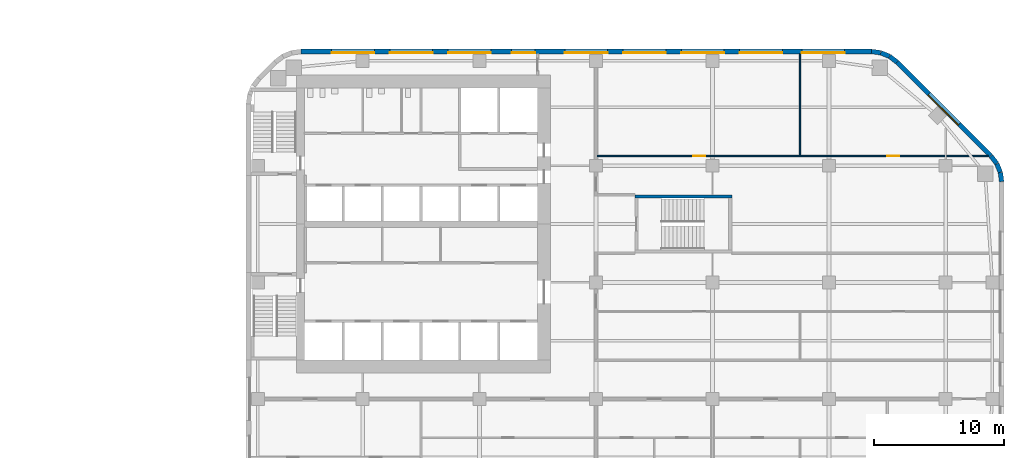
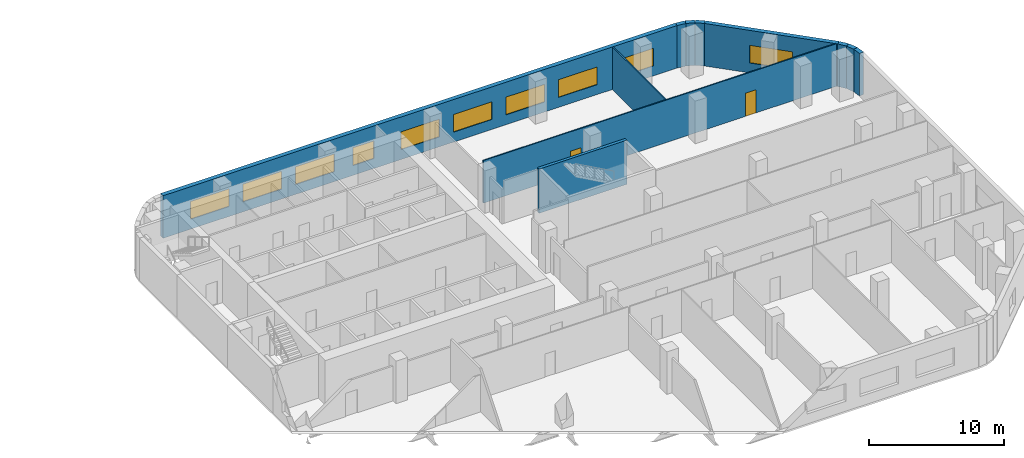
# One storey, part 12 of 16: 11 walls, 10 windows, 2 doors, 12 openings.
"""IFC4 building model written with IfcOpenShell, lengths in metres."""

from ifc_helpers import new_model, si_unit, direction, frame, frame_2d, origin, place, context, subcontext, project, spatial, rectangle, extrude, material, layer, layer_set, type_object, element, fill, save


model = new_model("IFC4")

# Units and contexts
model_context = context("Model", 3, precision=1e-05, world=origin(), true_north=direction((0.0, 1.0)))
body_context = subcontext(model_context, "Body", "Model", "MODEL_VIEW")
ifc_project = project(units=[si_unit("LENGTHUNIT", "METRE"), si_unit("AREAUNIT", "SQUARE_METRE"), si_unit("VOLUMEUNIT", "CUBIC_METRE"), si_unit("PLANEANGLEUNIT", "RADIAN"), si_unit("MASSUNIT", "GRAM", prefix="KILO")], contexts=[model_context])

# Site, building, storey
site_placement = place(None, origin())
site = spatial("IfcSite", under=ifc_project, at=site_placement, CompositionType="ELEMENT")
building_placement = place(site_placement, origin())
building = spatial("IfcBuilding", under=site, at=building_placement, Name="Cinnabar Reach Civic Tower", CompositionType="ELEMENT")
storey_placement = place(building_placement, frame((0.0, 0.0, 55.0)))
storey = spatial("IfcBuildingStorey", under=building, at=storey_placement, Name="L12", CompositionType="ELEMENT", Elevation=55.0)

# Walls
ifc_material_1 = material(Name="Facing brick with insulated backing", Category="masonry")
ifc_layer_1 = layer(ifc_material_1, 0.36)
ifc_layer_set_1 = layer_set([ifc_layer_1], Name="Brick corner wall")
wall_type_1 = type_object("IfcWallType", Name="Brick corner wall", PredefinedType="STANDARD", material=ifc_layer_set_1)
for number, where, z_axis, x_axis, name in (
    (1, (58.317, 34.7686, 0.0), (0.0, 0.0, 1.0), (-0.13055608231, 0.99144092581, 0.0), "Brick corner wall"),
    (2, (58.2181, 35.4973, 0.0), (0.0, 0.0, 1.0), (-0.382702709855, 0.923871547278, 0.0), "Brick corner wall"),
):
    element("IfcWall", number, at=place(storey_placement, frame(where, z_axis=z_axis, x_axis=x_axis)), inside=storey, type_object=wall_type_1, Name=name, PredefinedType="STANDARD", context=body_context, shape_type="SweptSolid", body=[
        extrude(rectangle(XDim=0.7131, YDim=0.36, at=frame_2d((0.3565, 0.0))), origin(), (0.0, 0.0, 1.0), 3.85),
    ])
for number, where, z_axis, x_axis, name in (
    (3, (57.934, 36.1755, 0.0), (0.0, 0.0, 1.0), (-0.608802368033, 0.793321924995, 0.0), "Brick corner wall"),
    (4, (50.2413, 43.9998, 0.0), (0.0, 0.0, 1.0), (-0.793321924995, 0.608802368033, 0.0), "Brick corner wall"),
):
    element("IfcWall", number, at=place(storey_placement, frame(where, z_axis=z_axis, x_axis=x_axis)), inside=storey, type_object=wall_type_1, Name=name, PredefinedType="STANDARD", context=body_context, shape_type="SweptSolid", body=[
        extrude(rectangle(XDim=0.7132, YDim=0.36, at=frame_2d((0.3566, 0.0))), origin(), (0.0, 0.0, 1.0), 3.85),
    ])
for number, where, z_axis, x_axis, name in (
    (5, (49.6561, 44.4452, 0.0), (0.0, 0.0, 1.0), (-0.923871547278, 0.382702709855, 0.0), "Brick corner wall"),
    (6, (48.9756, 44.7239, 0.0), (0.0, 0.0, 1.0), (-0.99144092581, 0.13055608231, 0.0), "Brick corner wall"),
):
    element("IfcWall", number, at=place(storey_placement, frame(where, z_axis=z_axis, x_axis=x_axis)), inside=storey, type_object=wall_type_1, Name=name, PredefinedType="STANDARD", context=body_context, shape_type="SweptSolid", body=[
        extrude(rectangle(XDim=0.7131, YDim=0.36, at=frame_2d((0.3565, 0.0))), origin(), (0.0, 0.0, 1.0), 3.85),
    ])

# Wall, opening, window
ifc_layer_2 = layer(ifc_material_1, 0.36)
ifc_layer_set_2 = layer_set([ifc_layer_2], Name="Brick pier and spandrel wall")
wall_type_2 = type_object("IfcWallType", Name="Brick pier and spandrel wall", PredefinedType="STANDARD", material=ifc_layer_set_2)
wall_1_placement = place(storey_placement, frame((57.494, 36.7514, 0.0), z_axis=(0.0, 0.0, 1.0), x_axis=(-0.707106781187, 0.707106781187, 0.0)))
wall_1 = element("IfcWall", 7, at=wall_1_placement, inside=storey, type_object=wall_type_2, Name="Brick facade wall", PredefinedType="STANDARD", context=body_context, shape_type="SweptSolid", body=[
    extrude(rectangle(XDim=10.2426, YDim=0.36, at=frame_2d((5.1213, 0.0))), origin(), (0.0, 0.0, 1.0), 3.85),
])
opening_1_placement = place(wall_1_placement, frame((3.4713, 0.0, 0.9)))
opening_1 = element("IfcOpeningElement", 8, at=opening_1_placement, cuts=wall_1, Name="Opening W1200", PredefinedType="OPENING", context=body_context, shape_type="SweptSolid", body=[
    extrude(rectangle(XDim=3.3, YDim=1.6, at=frame_2d((1.65, 0.8))), frame((0.0, 0.19, 0.0), z_axis=(0.0, -1.0, 0.0), x_axis=(1.0, 0.0, 0.0)), (0.0, 0.0, 1.0), 0.38),
])
ifc_material_2 = material(Name="Clear double glazing in aluminium frame", Category="aluminium")
window_type_1 = type_object("IfcWindowType", Name="Deep-set window A", PartitioningType="SINGLE_PANEL", PredefinedType="WINDOW", material=ifc_material_2)
window_1_placement = place(opening_1_placement, origin())
window_1 = element("IfcWindow", 9, at=window_1_placement, inside=storey, type_object=window_type_1, Name="Window northeast face", OverallHeight=1.6, OverallWidth=3.3, PartitioningType="SINGLE_PANEL", PredefinedType="WINDOW", context=body_context, shape_type="SweptSolid", body=[
    extrude(rectangle(XDim=3.3, YDim=1.6, at=frame_2d((1.65, 0.8))), frame((0.0, 0.13, 0.0), z_axis=(0.0, -1.0, 0.0), x_axis=(1.0, 0.0, 0.0)), (0.0, 0.0, 1.0), 0.06),
])
fill(opening_1, window_1)

# Wall, openings, windows
wall_2_placement = place(storey_placement, frame((48.2574, 44.82, 0.0), z_axis=(0.0, 0.0, 1.0), x_axis=(-1.0, 0.0, 0.0)))
wall_2 = element("IfcWall", 10, at=wall_2_placement, inside=storey, type_object=wall_type_2, Name="Brick facade wall", PredefinedType="STANDARD", context=body_context, shape_type="SweptSolid", body=[
    extrude(rectangle(XDim=44.0148, YDim=0.36, at=frame_2d((22.0074, 0.0))), origin(), (0.0, 0.0, 1.0), 3.85),
])
opening_2_placement = place(wall_2_placement, frame((2.0574, 0.0, 0.9)))
opening_2 = element("IfcOpeningElement", 11, at=opening_2_placement, cuts=wall_2, Name="Opening W1201", PredefinedType="OPENING", context=body_context, shape_type="SweptSolid", body=[
    extrude(rectangle(XDim=3.3, YDim=1.6, at=frame_2d((1.65, 0.8))), frame((0.0, 0.19, 0.0), z_axis=(0.0, -1.0, 0.0), x_axis=(1.0, 0.0, 0.0)), (0.0, 0.0, 1.0), 0.38),
])
opening_3_placement = place(wall_2_placement, frame((6.8574, 0.0, 0.9)))
opening_3 = element("IfcOpeningElement", 12, at=opening_3_placement, cuts=wall_2, Name="Opening W1202", PredefinedType="OPENING", context=body_context, shape_type="SweptSolid", body=[
    extrude(rectangle(XDim=3.3, YDim=1.6, at=frame_2d((1.65, 0.8))), frame((0.0, 0.19, 0.0), z_axis=(0.0, -1.0, 0.0), x_axis=(1.0, 0.0, 0.0)), (0.0, 0.0, 1.0), 0.38),
])
opening_4_placement = place(wall_2_placement, frame((11.3574, 0.0, 0.9)))
opening_4 = element("IfcOpeningElement", 13, at=opening_4_placement, cuts=wall_2, Name="Opening W1203", PredefinedType="OPENING", context=body_context, shape_type="SweptSolid", body=[
    extrude(rectangle(XDim=3.3, YDim=1.6, at=frame_2d((1.65, 0.8))), frame((0.0, 0.19, 0.0), z_axis=(0.0, -1.0, 0.0), x_axis=(1.0, 0.0, 0.0)), (0.0, 0.0, 1.0), 0.38),
])
opening_5_placement = place(wall_2_placement, frame((15.8574, 0.0, 0.9)))
opening_5 = element("IfcOpeningElement", 14, at=opening_5_placement, cuts=wall_2, Name="Opening W1204", PredefinedType="OPENING", context=body_context, shape_type="SweptSolid", body=[
    extrude(rectangle(XDim=3.3, YDim=1.6, at=frame_2d((1.65, 0.8))), frame((0.0, 0.19, 0.0), z_axis=(0.0, -1.0, 0.0), x_axis=(1.0, 0.0, 0.0)), (0.0, 0.0, 1.0), 0.38),
])
opening_6_placement = place(wall_2_placement, frame((20.3574, 0.0, 0.9)))
opening_6 = element("IfcOpeningElement", 15, at=opening_6_placement, cuts=wall_2, Name="Opening W1205", PredefinedType="OPENING", context=body_context, shape_type="SweptSolid", body=[
    extrude(rectangle(XDim=3.3, YDim=1.6, at=frame_2d((1.65, 0.8))), frame((0.0, 0.19, 0.0), z_axis=(0.0, -1.0, 0.0), x_axis=(1.0, 0.0, 0.0)), (0.0, 0.0, 1.0), 0.38),
])
opening_7_placement = place(wall_2_placement, frame((25.9574, 0.0, 0.9)))
opening_7 = element("IfcOpeningElement", 16, at=opening_7_placement, cuts=wall_2, Name="Opening W1206", PredefinedType="OPENING", context=body_context, shape_type="SweptSolid", body=[
    extrude(rectangle(XDim=1.8, YDim=1.6, at=frame_2d((0.9, 0.8))), frame((0.0, 0.19, 0.0), z_axis=(0.0, -1.0, 0.0), x_axis=(1.0, 0.0, 0.0)), (0.0, 0.0, 1.0), 0.38),
])
opening_8_placement = place(wall_2_placement, frame((29.3574, 0.0, 0.9)))
opening_8 = element("IfcOpeningElement", 17, at=opening_8_placement, cuts=wall_2, Name="Opening W1207", PredefinedType="OPENING", context=body_context, shape_type="SweptSolid", body=[
    extrude(rectangle(XDim=3.3, YDim=1.6, at=frame_2d((1.65, 0.8))), frame((0.0, 0.19, 0.0), z_axis=(0.0, -1.0, 0.0), x_axis=(1.0, 0.0, 0.0)), (0.0, 0.0, 1.0), 0.38),
])
opening_9_placement = place(wall_2_placement, frame((33.8574, 0.0, 0.9)))
opening_9 = element("IfcOpeningElement", 18, at=opening_9_placement, cuts=wall_2, Name="Opening W1208", PredefinedType="OPENING", context=body_context, shape_type="SweptSolid", body=[
    extrude(rectangle(XDim=3.3, YDim=1.6, at=frame_2d((1.65, 0.8))), frame((0.0, 0.19, 0.0), z_axis=(0.0, -1.0, 0.0), x_axis=(1.0, 0.0, 0.0)), (0.0, 0.0, 1.0), 0.38),
])
opening_10_placement = place(wall_2_placement, frame((38.3574, 0.0, 0.9)))
opening_10 = element("IfcOpeningElement", 19, at=opening_10_placement, cuts=wall_2, Name="Opening W1209", PredefinedType="OPENING", context=body_context, shape_type="SweptSolid", body=[
    extrude(rectangle(XDim=3.3, YDim=1.6, at=frame_2d((1.65, 0.8))), frame((0.0, 0.19, 0.0), z_axis=(0.0, -1.0, 0.0), x_axis=(1.0, 0.0, 0.0)), (0.0, 0.0, 1.0), 0.38),
])
window_2_placement = place(opening_2_placement, origin())
window_2 = element("IfcWindow", 20, at=window_2_placement, inside=storey, type_object=window_type_1, Name="Window north face", OverallHeight=1.6, OverallWidth=3.3, PartitioningType="SINGLE_PANEL", PredefinedType="WINDOW", context=body_context, shape_type="SweptSolid", body=[
    extrude(rectangle(XDim=3.3, YDim=1.6, at=frame_2d((1.65, 0.8))), frame((0.0, 0.13, 0.0), z_axis=(0.0, -1.0, 0.0), x_axis=(1.0, 0.0, 0.0)), (0.0, 0.0, 1.0), 0.06),
])
fill(opening_2, window_2)
window_3_placement = place(opening_3_placement, origin())
window_3 = element("IfcWindow", 21, at=window_3_placement, inside=storey, type_object=window_type_1, Name="Window north face", OverallHeight=1.6, OverallWidth=3.3, PartitioningType="SINGLE_PANEL", PredefinedType="WINDOW", context=body_context, shape_type="SweptSolid", body=[
    extrude(rectangle(XDim=3.3, YDim=1.6, at=frame_2d((1.65, 0.8))), frame((0.0, 0.13, 0.0), z_axis=(0.0, -1.0, 0.0), x_axis=(1.0, 0.0, 0.0)), (0.0, 0.0, 1.0), 0.06),
])
fill(opening_3, window_3)
window_4_placement = place(opening_4_placement, origin())
window_4 = element("IfcWindow", 22, at=window_4_placement, inside=storey, type_object=window_type_1, Name="Window north face", OverallHeight=1.6, OverallWidth=3.3, PartitioningType="SINGLE_PANEL", PredefinedType="WINDOW", context=body_context, shape_type="SweptSolid", body=[
    extrude(rectangle(XDim=3.3, YDim=1.6, at=frame_2d((1.65, 0.8))), frame((0.0, 0.13, 0.0), z_axis=(0.0, -1.0, 0.0), x_axis=(1.0, 0.0, 0.0)), (0.0, 0.0, 1.0), 0.06),
])
fill(opening_4, window_4)
window_5_placement = place(opening_5_placement, origin())
window_5 = element("IfcWindow", 23, at=window_5_placement, inside=storey, type_object=window_type_1, Name="Window north face", OverallHeight=1.6, OverallWidth=3.3, PartitioningType="SINGLE_PANEL", PredefinedType="WINDOW", context=body_context, shape_type="SweptSolid", body=[
    extrude(rectangle(XDim=3.3, YDim=1.6, at=frame_2d((1.65, 0.8))), frame((0.0, 0.13, 0.0), z_axis=(0.0, -1.0, 0.0), x_axis=(1.0, 0.0, 0.0)), (0.0, 0.0, 1.0), 0.06),
])
fill(opening_5, window_5)
window_6_placement = place(opening_6_placement, origin())
window_6 = element("IfcWindow", 24, at=window_6_placement, inside=storey, type_object=window_type_1, Name="Window north face", OverallHeight=1.6, OverallWidth=3.3, PartitioningType="SINGLE_PANEL", PredefinedType="WINDOW", context=body_context, shape_type="SweptSolid", body=[
    extrude(rectangle(XDim=3.3, YDim=1.6, at=frame_2d((1.65, 0.8))), frame((0.0, 0.13, 0.0), z_axis=(0.0, -1.0, 0.0), x_axis=(1.0, 0.0, 0.0)), (0.0, 0.0, 1.0), 0.06),
])
fill(opening_6, window_6)
window_7_placement = place(opening_8_placement, origin())
window_7 = element("IfcWindow", 25, at=window_7_placement, inside=storey, type_object=window_type_1, Name="Window north face", OverallHeight=1.6, OverallWidth=3.3, PartitioningType="SINGLE_PANEL", PredefinedType="WINDOW", context=body_context, shape_type="SweptSolid", body=[
    extrude(rectangle(XDim=3.3, YDim=1.6, at=frame_2d((1.65, 0.8))), frame((0.0, 0.13, 0.0), z_axis=(0.0, -1.0, 0.0), x_axis=(1.0, 0.0, 0.0)), (0.0, 0.0, 1.0), 0.06),
])
fill(opening_8, window_7)
window_8_placement = place(opening_9_placement, origin())
window_8 = element("IfcWindow", 26, at=window_8_placement, inside=storey, type_object=window_type_1, Name="Window north face", OverallHeight=1.6, OverallWidth=3.3, PartitioningType="SINGLE_PANEL", PredefinedType="WINDOW", context=body_context, shape_type="SweptSolid", body=[
    extrude(rectangle(XDim=3.3, YDim=1.6, at=frame_2d((1.65, 0.8))), frame((0.0, 0.13, 0.0), z_axis=(0.0, -1.0, 0.0), x_axis=(1.0, 0.0, 0.0)), (0.0, 0.0, 1.0), 0.06),
])
fill(opening_9, window_8)
window_9_placement = place(opening_10_placement, origin())
window_9 = element("IfcWindow", 27, at=window_9_placement, inside=storey, type_object=window_type_1, Name="Window north face", OverallHeight=1.6, OverallWidth=3.3, PartitioningType="SINGLE_PANEL", PredefinedType="WINDOW", context=body_context, shape_type="SweptSolid", body=[
    extrude(rectangle(XDim=3.3, YDim=1.6, at=frame_2d((1.65, 0.8))), frame((0.0, 0.13, 0.0), z_axis=(0.0, -1.0, 0.0), x_axis=(1.0, 0.0, 0.0)), (0.0, 0.0, 1.0), 0.06),
])
fill(opening_10, window_9)
window_type_2 = type_object("IfcWindowType", Name="Deep-set window D", PartitioningType="SINGLE_PANEL", PredefinedType="WINDOW", material=ifc_material_2)
window_10_placement = place(opening_7_placement, origin())
window_10 = element("IfcWindow", 28, at=window_10_placement, inside=storey, type_object=window_type_2, Name="Window north face", OverallHeight=1.6, OverallWidth=1.8, PartitioningType="SINGLE_PANEL", PredefinedType="WINDOW", context=body_context, shape_type="SweptSolid", body=[
    extrude(rectangle(XDim=1.8, YDim=1.6, at=frame_2d((0.9, 0.8))), frame((0.0, 0.13, 0.0), z_axis=(0.0, -1.0, 0.0), x_axis=(1.0, 0.0, 0.0)), (0.0, 0.0, 1.0), 0.06),
])
fill(opening_7, window_10)

# Wall, openings, doors
ifc_material_3 = material(Name="Gypsum board on steel studs", Category="steel")
ifc_layer_3 = layer(ifc_material_3, 0.1)
ifc_layer_set_3 = layer_set([ifc_layer_3], Name="Partition wall 100 T1")
wall_type_3 = type_object("IfcWallType", Name="Partition wall 100 T1", PredefinedType="PARTITIONING", material=ifc_layer_set_3)
wall_3_placement = place(storey_placement, frame((27.075, 36.75, 0.0), z_axis=(0.0, 0.0, 1.0), x_axis=(1.0, 0.0, 0.0)))
wall_3 = element("IfcWall", 29, at=wall_3_placement, inside=storey, type_object=wall_type_3, Name="Partition wall 51", PredefinedType="PARTITIONING", context=body_context, shape_type="SweptSolid", body=[
    extrude(rectangle(XDim=30.2159, YDim=0.1, at=frame_2d((15.108, 0.0))), origin(), (0.0, 0.0, 1.0), 3.85),
])
opening_11_placement = place(wall_3_placement, frame((7.45, 0.0, 0.0)))
opening_11 = element("IfcOpeningElement", 30, at=opening_11_placement, cuts=wall_3, Name="Opening D3497", PredefinedType="OPENING", context=body_context, shape_type="SweptSolid", body=[
    extrude(rectangle(XDim=0.9, YDim=2.1, at=frame_2d((0.45, 1.05))), frame((0.0, 0.06, 0.0), z_axis=(0.0, -1.0, 0.0), x_axis=(1.0, 0.0, 0.0)), (0.0, 0.0, 1.0), 0.12),
])
opening_12_placement = place(wall_3_placement, frame((22.425, 0.0, 0.0)))
opening_12 = element("IfcOpeningElement", 31, at=opening_12_placement, cuts=wall_3, Name="Opening D3498", PredefinedType="OPENING", context=body_context, shape_type="SweptSolid", body=[
    extrude(rectangle(XDim=0.9, YDim=2.1, at=frame_2d((0.45, 1.05))), frame((0.0, 0.06, 0.0), z_axis=(0.0, -1.0, 0.0), x_axis=(1.0, 0.0, 0.0)), (0.0, 0.0, 1.0), 0.12),
])
ifc_material_4 = material(Name="Timber door leaf in steel frame", Category="steel")
door_type = type_object("IfcDoorType", Name="Single swing door 900 x 2100 T1", OperationType="SINGLE_SWING_LEFT", PredefinedType="DOOR", material=ifc_material_4)
door_1_placement = place(opening_11_placement, origin())
door_1 = element("IfcDoor", 32, at=door_1_placement, inside=storey, type_object=door_type, Name="Door D3497", OperationType="SINGLE_SWING_RIGHT", OverallHeight=2.1, OverallWidth=0.9, PredefinedType="DOOR", context=body_context, shape_type="SweptSolid", body=[
    extrude(rectangle(XDim=0.9, YDim=2.1, at=frame_2d((0.45, 1.05))), frame((0.0, 0.025, 0.0), z_axis=(0.0, -1.0, 0.0), x_axis=(1.0, 0.0, 0.0)), (0.0, 0.0, 1.0), 0.05),
])
fill(opening_11, door_1)
door_2_placement = place(opening_12_placement, origin())
door_2 = element("IfcDoor", 33, at=door_2_placement, inside=storey, type_object=door_type, Name="Door D3498", OperationType="SINGLE_SWING_LEFT", OverallHeight=2.1, OverallWidth=0.9, PredefinedType="DOOR", context=body_context, shape_type="SweptSolid", body=[
    extrude(rectangle(XDim=0.9, YDim=2.1, at=frame_2d((0.45, 1.05))), frame((0.0, 0.025, 0.0), z_axis=(0.0, -1.0, 0.0), x_axis=(1.0, 0.0, 0.0)), (0.0, 0.0, 1.0), 0.05),
])
fill(opening_12, door_2)

# Walls
wall_4_placement = place(storey_placement, frame((42.75, 36.8, 0.0), z_axis=(0.0, 0.0, 1.0), x_axis=(0.0, 1.0, 0.0)))
element("IfcWall", 34, at=wall_4_placement, inside=storey, type_object=wall_type_3, Name="Partition wall 59", PredefinedType="PARTITIONING", context=body_context, shape_type="SweptSolid", body=[
    extrude(rectangle(XDim=7.84, YDim=0.1, at=frame_2d((3.92, 0.0))), origin(), (0.0, 0.0, 1.0), 3.85),
])
ifc_material_5 = material(Name="Concrete C60", Category="concrete")
ifc_layer_4 = layer(ifc_material_5, 0.25)
ifc_layer_set_4 = layer_set([ifc_layer_4], Name="Stair shaft wall 250 EI 120")
wall_type_4 = type_object("IfcWallType", Name="Stair shaft wall 250 EI 120", PredefinedType="SOLIDWALL", material=ifc_layer_set_4)
wall_5_placement = place(storey_placement, frame((37.5, 33.625, 0.0), z_axis=(0.0, 0.0, 1.0), x_axis=(-1.0, 0.0, 0.0)))
element("IfcWall", 35, at=wall_5_placement, inside=storey, type_object=wall_type_4, Name="Stair shaft wall T1-S3 L12", PredefinedType="SOLIDWALL", context=body_context, shape_type="SweptSolid", body=[
    extrude(rectangle(XDim=7.5, YDim=0.25, at=frame_2d((3.75, 0.0))), origin(), (0.0, 0.0, 1.0), 4.0),
])

save(model, "model.ifc")
